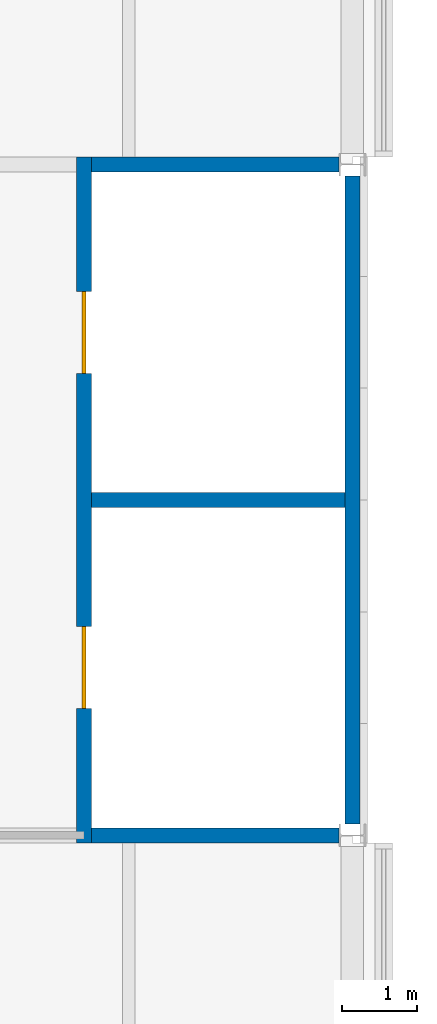
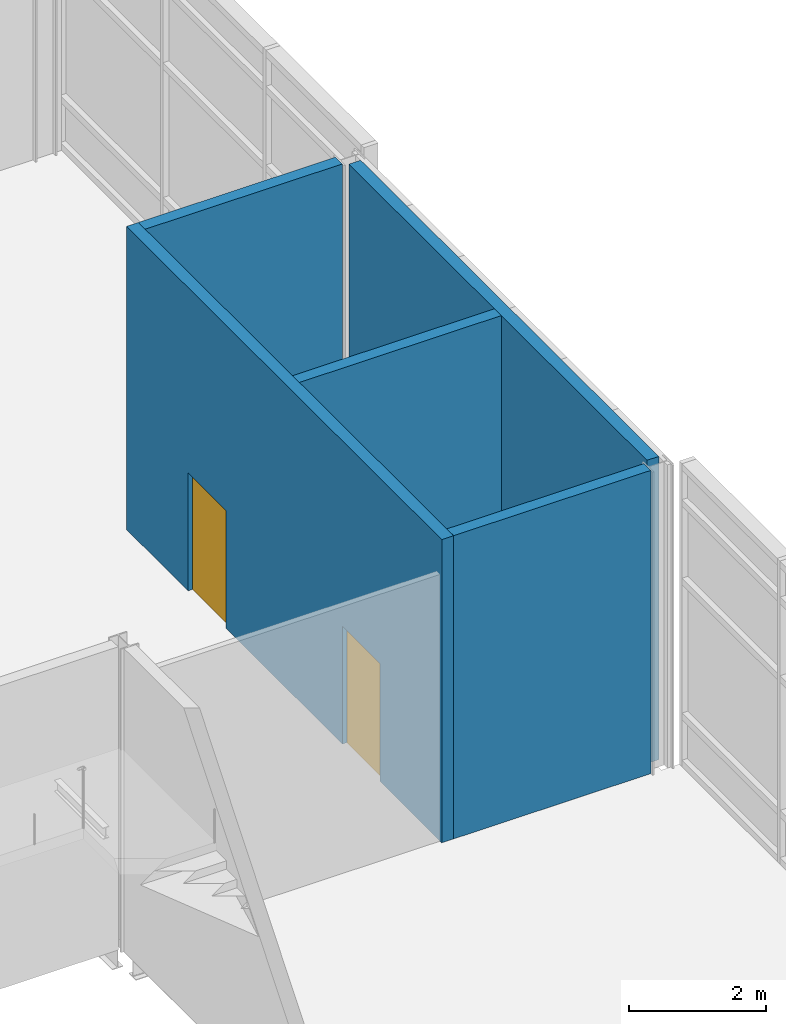
# One storey, part 34 of 52: 5 walls, 2 doors, 2 openings.
"""IFC4 building model written with IfcOpenShell, lengths in metres."""

from ifc_helpers import new_model, si_unit, direction, frame, frame_2d, origin, place, context, subcontext, project, spatial, rectangle, extrude, material, layer, layer_set, type_object, element, fill, save


model = new_model("IFC4")

# Units and contexts
model_context = context("Model", 3, precision=1e-05, world=origin(), true_north=direction((0.0, 1.0)))
body_context = subcontext(model_context, "Body", "Model", "MODEL_VIEW")
ifc_project = project(units=[si_unit("LENGTHUNIT", "METRE"), si_unit("AREAUNIT", "SQUARE_METRE"), si_unit("VOLUMEUNIT", "CUBIC_METRE"), si_unit("PLANEANGLEUNIT", "RADIAN"), si_unit("MASSUNIT", "GRAM", prefix="KILO")], contexts=[model_context])

# Site, building, storey
site_placement = place(None, origin())
site = spatial("IfcSite", under=ifc_project, at=site_placement, CompositionType="ELEMENT")
building_placement = place(site_placement, origin())
building = spatial("IfcBuilding", under=site, at=building_placement, Name="Azimuth Sports and Learning Centre", CompositionType="ELEMENT")
storey_placement = place(building_placement, frame((0.0, 0.0, 16.199951171875)))
storey = spatial("IfcBuildingStorey", under=building, at=storey_placement, Name="L03", CompositionType="ELEMENT", Elevation=16.199951171875)

# Walls
ifc_material_1 = material(Name="Dense masonry blockwork", Category="masonry")
ifc_layer_1 = layer(ifc_material_1, 0.199951171875)
ifc_layer_set_1 = layer_set([ifc_layer_1], Name="Dense masonry blockwork")
wall_type_1 = type_object("IfcWallType", Name="Blockwork wall 200 EI 120", PredefinedType="SOLIDWALL", material=ifc_layer_set_1)
wall_1_placement = place(storey_placement, frame((95.5, 58.5, 0.0), z_axis=(0.0, 0.0, 1.0), x_axis=(1.0, 0.0, 0.0)))
element("IfcWall", 1, at=wall_1_placement, inside=storey, type_object=wall_type_1, Name="SD-STL-1-L03", PredefinedType="SOLIDWALL", context=body_context, shape_type="SweptSolid", body=[
    extrude(rectangle(XDim=3.39990234375, YDim=0.199951171875, at=frame_2d((1.699951171875, 0.0))), origin(), (0.0, 0.0, 1.0), 5.400146484375),
])
ifc_material_2 = material(Name="Concrete C40/50", Category="concrete")
ifc_layer_2 = layer(ifc_material_2, 0.199951171875)
ifc_layer_set_2 = layer_set([ifc_layer_2], Name="Concrete C40/50")
wall_type_2 = type_object("IfcWallType", Name="RC cell wall 200 EI 120", PredefinedType="SHEAR", material=ifc_layer_set_2)
for number, where, z_axis, x_axis, name in (
    (2, (95.5, 54.0, 0.0), (0.0, 0.0, 1.0), (1.0, 0.0, 0.0), "CE-STL-S-L03"),
    (3, (95.5, 63.0, 0.0), (0.0, 0.0, 1.0), (1.0, 0.0, 0.0), "CE-STL-N-L03"),
):
    element("IfcWall", number, at=place(storey_placement, frame(where, z_axis=z_axis, x_axis=x_axis)), inside=storey, type_object=wall_type_2, Name=name, PredefinedType="SHEAR", context=body_context, shape_type="SweptSolid", body=[
        extrude(rectangle(XDim=3.320068359375, YDim=0.199951171875, at=frame_2d((1.66015625, 0.0))), origin(), (0.0, 0.0, 1.0), 5.400146484375),
    ])

# Wall, openings, doors
wall_2_placement = place(storey_placement, frame((95.39990234375, 53.89990234375, 0.0), z_axis=(0.0, 0.0, 1.0), x_axis=(0.0, 1.0, 0.0)))
wall_2 = element("IfcWall", 4, at=wall_2_placement, inside=storey, type_object=wall_type_2, Name="CE-STL-W-L03", PredefinedType="SHEAR", context=body_context, shape_type="SweptSolid", body=[
    extrude(rectangle(XDim=9.2001953125, YDim=0.199951171875, at=frame_2d((4.60009765625, 0.0))), origin(), (0.0, 0.0, 1.0), 5.400146484375),
])
opening_1_placement = place(wall_2_placement, frame((1.800048828125, 0.0, 0.0)))
opening_1 = element("IfcOpeningElement", 5, at=opening_1_placement, cuts=wall_2, Name="Opening D03-029", PredefinedType="OPENING", context=body_context, shape_type="SweptSolid", body=[
    extrude(rectangle(XDim=1.10009765625, YDim=2.10009765625, at=frame_2d((0.550048828125, 1.050048828125))), frame((0.0, 0.11083984375, 0.0), z_axis=(0.0, -1.0, 0.0), x_axis=(1.0, 0.0, 0.0)), (0.0, 0.0, 1.0), 0.221923828125),
])
opening_2_placement = place(wall_2_placement, frame((6.300048828125, 0.0, 0.0)))
opening_2 = element("IfcOpeningElement", 6, at=opening_2_placement, cuts=wall_2, Name="Opening D03-030", PredefinedType="OPENING", context=body_context, shape_type="SweptSolid", body=[
    extrude(rectangle(XDim=1.10009765625, YDim=2.10009765625, at=frame_2d((0.550048828125, 1.050048828125))), frame((0.0, 0.11083984375, 0.0), z_axis=(0.0, -1.0, 0.0), x_axis=(1.0, 0.0, 0.0)), (0.0, 0.0, 1.0), 0.221923828125),
])
ifc_material_3 = material(Name="Stainless steel", Category="steel")
door_type = type_object("IfcDoorType", Name="Lift landing door 1100 x 2100", OperationType="DOUBLE_DOOR_SLIDING", PredefinedType="DOOR", material=ifc_material_3)
door_1_placement = place(opening_1_placement, origin())
door_1 = element("IfcDoor", 7, at=door_1_placement, inside=storey, type_object=door_type, Name="Landing door LS1 L03", OperationType="DOUBLE_DOOR_SLIDING", OverallHeight=2.10009765625, OverallWidth=1.10009765625, PredefinedType="DOOR", context=body_context, shape_type="SweptSolid", body=[
    extrude(rectangle(XDim=1.10009765625, YDim=2.10009765625, at=frame_2d((0.550048828125, 1.050048828125))), frame((0.0, 0.02490234375, 0.0), z_axis=(0.0, -1.0, 0.0), x_axis=(1.0, 0.0, 0.0)), (0.0, 0.0, 1.0), 0.050048828125),
])
fill(opening_1, door_1)
door_2_placement = place(opening_2_placement, origin())
door_2 = element("IfcDoor", 8, at=door_2_placement, inside=storey, type_object=door_type, Name="Landing door LS2 L03", OperationType="DOUBLE_DOOR_SLIDING", OverallHeight=2.10009765625, OverallWidth=1.10009765625, PredefinedType="DOOR", context=body_context, shape_type="SweptSolid", body=[
    extrude(rectangle(XDim=1.10009765625, YDim=2.10009765625, at=frame_2d((0.550048828125, 1.050048828125))), frame((0.0, 0.02490234375, 0.0), z_axis=(0.0, -1.0, 0.0), x_axis=(1.0, 0.0, 0.0)), (0.0, 0.0, 1.0), 0.050048828125),
])
fill(opening_2, door_2)

# Wall
ifc_material_4 = material(Name="Concrete C40/50", Category="concrete")
ifc_layer_3 = layer(ifc_material_4, 0.199951171875)
ifc_layer_set_3 = layer_set([ifc_layer_3], Name="Concrete C40/50")
wall_type_3 = type_object("IfcWallType", Name="RC external cell wall 200 EI 120", PredefinedType="SHEAR", material=ifc_layer_set_3)
wall_3_placement = place(storey_placement, frame((99.0, 54.14990234375, 0.0), z_axis=(0.0, 0.0, 1.0), x_axis=(0.0, 1.0, 0.0)))
element("IfcWall", 9, at=wall_3_placement, inside=storey, type_object=wall_type_3, Name="CE-STL-E-L03", PredefinedType="SHEAR", context=body_context, shape_type="SweptSolid", body=[
    extrude(rectangle(XDim=8.7001953125, YDim=0.199951171875, at=frame_2d((4.35009765625, 0.0))), origin(), (0.0, 0.0, 1.0), 5.400146484375),
])

save(model, "model.ifc")
